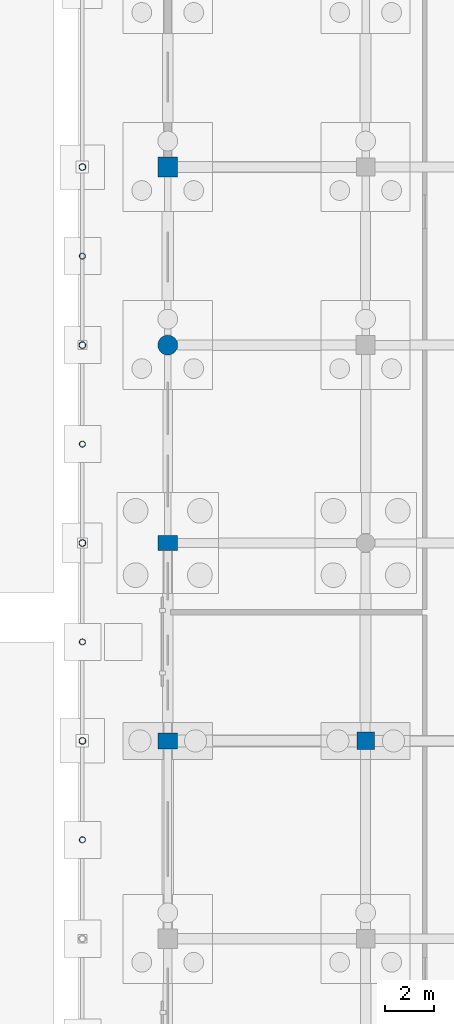
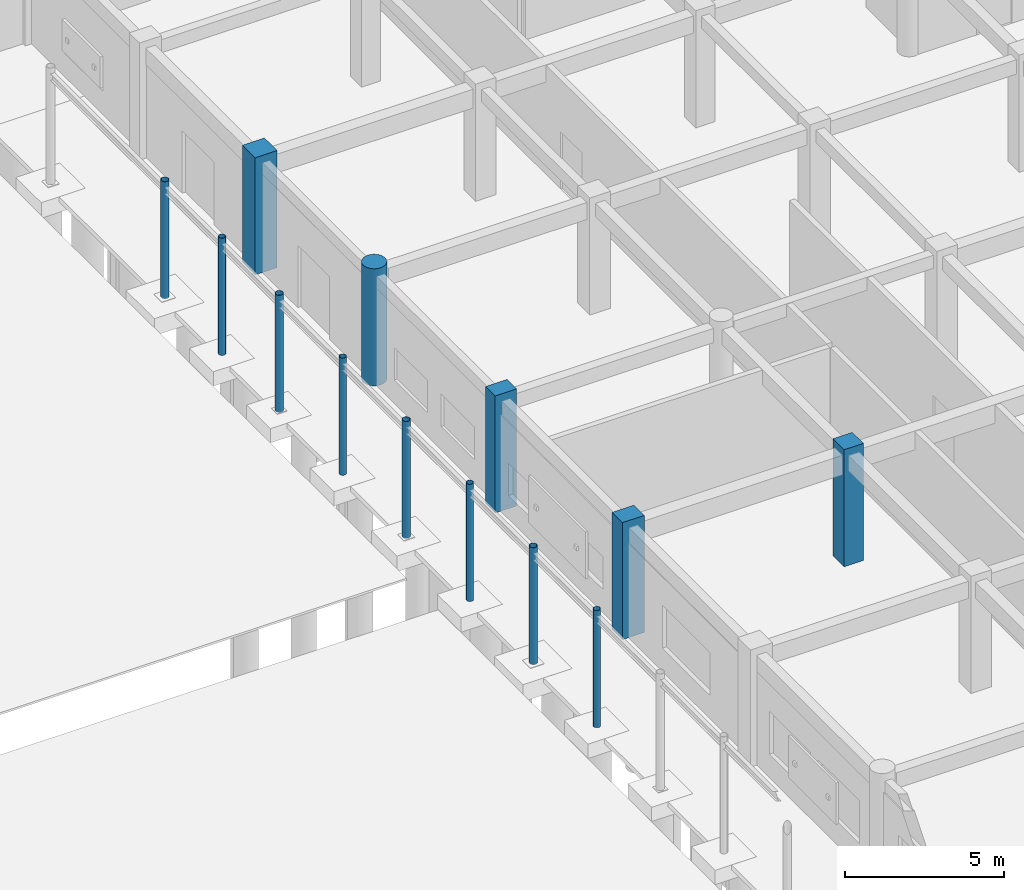
# One storey, part 44 of 166: 13 columns.
"""IFC4 building model written with IfcOpenShell, lengths in metres."""

import ifcopenshell
import ifcopenshell.guid

model = None  # the IFC model being written
_history = None  # IfcOwnerHistory: only IFC2X3 demands one
_inside = {}  # id of a spatial element -> (the spatial element, [elements in it])
_under = {}  # id of a project, library or spatial element -> (it, [spatial elements below it])
_declared = {}  # id of a project -> (the project, [libraries it declares])
_typed = {}  # id of a type object -> (the type object, [elements of that type])
_made_of = {}  # id of a material, layer set ... -> (it, [elements and type objects made of it])


def new_model(schema):
    """Start an empty IFC model of exactly this schema.

    Asked for "IFC4X3", IfcOpenShell would pick the latest addendum, in which some entities
    have other attributes; the version numbers below select the first issue.
    IFC2X3 requires an IfcOwnerHistory on every rooted entity: one is made here for all.
    """
    global model, _history
    if schema == "IFC4X3":
        model = ifcopenshell.file(schema_version=(4, 3, 0, 0))
    else:
        model = ifcopenshell.file(schema=schema)
    _inside.clear()
    _under.clear()
    _declared.clear()
    _typed.clear()
    _made_of.clear()
    _history = None
    if model.schema == "IFC2X3":
        org = make("IfcOrganization", Name="unknown")
        user = make(
            "IfcPersonAndOrganization",
            ThePerson=make("IfcPerson", FamilyName="unknown"),
            TheOrganization=org,
        )
        app = make(
            "IfcApplication",
            ApplicationDeveloper=org,
            Version="unknown",
            ApplicationFullName="unknown",
            ApplicationIdentifier="unknown",
        )
        _history = make(
            "IfcOwnerHistory",
            OwningUser=user,
            OwningApplication=app,
            ChangeAction="ADDED",
            CreationDate=0,
        )
    return model


def make(cls, **values):
    """One entity of the class cls with the attributes given. An attribute that is None is left unset."""
    return model.create_entity(
        cls, **{name: value for name, value in values.items() if value is not None}
    )


def rooted(cls, **values):
    """An entity with a GlobalId (a new one), such as an element, a storey or a relation."""
    return make(cls, GlobalId=ifcopenshell.guid.new(), OwnerHistory=_history, **values)


def si_unit(unit_type, name, prefix=None):
    """IfcSIUnit, for example si_unit("LENGTHUNIT", "METRE", prefix="MILLI")."""
    return make("IfcSIUnit", UnitType=unit_type, Prefix=prefix, Name=name)


def assignment(units):
    """IfcUnitAssignment: the units of a project."""
    return None if units is None else make("IfcUnitAssignment", Units=units)


def point(xyz):
    """IfcCartesianPoint."""
    return None if xyz is None else make("IfcCartesianPoint", Coordinates=xyz)


def direction(xyz):
    """IfcDirection."""
    return None if xyz is None else make("IfcDirection", DirectionRatios=xyz)


def frame(location, z_axis=None, x_axis=None):
    """IfcAxis2Placement3D, a coordinate frame: its origin and axes. An axis left out is left unset."""
    return make(
        "IfcAxis2Placement3D",
        Location=point(location),
        Axis=direction(z_axis),
        RefDirection=direction(x_axis),
    )


def frame_2d(location, x_axis=None):
    """IfcAxis2Placement2D, a coordinate frame in the plane: its origin and x axis."""
    return make(
        "IfcAxis2Placement2D", Location=point(location), RefDirection=direction(x_axis)
    )


def origin():
    """The frame at (0, 0, 0) with its axes left unset."""
    return frame((0.0, 0.0, 0.0))


def origin_2d():
    """The frame at (0, 0) in the plane with its x axis left unset."""
    return frame_2d((0.0, 0.0))


def place(relative_to, where):
    """IfcLocalPlacement: puts the frame where relative to a parent placement (None: the world)."""
    return make(
        "IfcLocalPlacement", PlacementRelTo=relative_to, RelativePlacement=where
    )


def context(
    kind, dimensions, precision=None, world=None, true_north=None, identifier=None
):
    """IfcGeometricRepresentationContext, for example the 3D "Model" context."""
    return make(
        "IfcGeometricRepresentationContext",
        ContextIdentifier=identifier,
        ContextType=kind,
        CoordinateSpaceDimension=dimensions,
        Precision=precision,
        WorldCoordinateSystem=world,
        TrueNorth=true_north,
    )


def subcontext(parent, identifier, kind, view, scale=None):
    """IfcGeometricRepresentationSubContext, for example "Body" below "Model"."""
    return make(
        "IfcGeometricRepresentationSubContext",
        ContextIdentifier=identifier,
        ContextType=kind,
        ParentContext=parent,
        TargetScale=scale,
        TargetView=view,
    )


def project(units=None, contexts=None):
    """IfcProject with its units and contexts."""
    return rooted(
        "IfcProject",
        Name="project",
        RepresentationContexts=contexts,
        UnitsInContext=assignment(units),
    )


def spatial(cls, under=None, at=None, **own):
    """A site, building, storey or space (cls), placed at a placement, below another one or the project."""
    s = rooted(cls, ObjectPlacement=at, **own)
    if under is not None:
        _under.setdefault(under.id(), (under, []))[1].append(s)
    return s


def profile(cls, at=None, kind="AREA", **sizes):
    """A parametric profile (cls). Its sizes go by their IFC names, for example OverallWidth=200.0."""
    return make(cls, ProfileType=kind, Position=at, **sizes)


def rectangle(**sizes):
    """IfcRectangleProfileDef."""
    return profile("IfcRectangleProfileDef", **sizes)


def circle(**sizes):
    """IfcCircleProfileDef."""
    return profile("IfcCircleProfileDef", **sizes)


def hollow_circle(**sizes):
    """IfcCircleHollowProfileDef."""
    return profile("IfcCircleHollowProfileDef", **sizes)


def extrude(swept, where, along, depth):
    """IfcExtrudedAreaSolid: the profile swept, set in the frame where, extruded along a direction by depth."""
    return make(
        "IfcExtrudedAreaSolid",
        SweptArea=swept,
        Position=where,
        ExtrudedDirection=direction(along),
        Depth=depth,
    )


def shape(context_of_items, identifier, shape_type, items):
    """IfcShapeRepresentation: the items that make up one representation, for example the "Body"."""
    return make(
        "IfcShapeRepresentation",
        ContextOfItems=context_of_items,
        RepresentationIdentifier=identifier,
        RepresentationType=shape_type,
        Items=items,
    )


def material(Name=None, Category=None):
    """IfcMaterial."""
    return make("IfcMaterial", Name=Name, Category=Category)


def material_profile(
    of_material, cross_section, Name=None, Category=None, Priority=None
):
    """IfcMaterialProfile: a cross section and its material."""
    return make(
        "IfcMaterialProfile",
        Name=Name,
        Material=of_material,
        Profile=cross_section,
        Priority=Priority,
        Category=Category,
    )


def profile_set(profiles, Name=None, composite=None):
    """IfcMaterialProfileSet."""
    return make(
        "IfcMaterialProfileSet",
        Name=Name,
        MaterialProfiles=profiles,
        CompositeProfile=composite,
    )


def made_of(thing, what):
    """Note that an element or type object is made of a material, layer set ...; save() writes the relation."""
    if what is not None:
        _made_of.setdefault(what.id(), (what, []))[1].append(thing)
    return thing


def type_object(cls, material=None, **own):
    """A type object (cls), such as IfcWallType, which elements share."""
    return made_of(rooted(cls, **own), material)


def element(
    cls,
    number,
    at=None,
    inside=None,
    cuts=None,
    type_object=None,
    material=None,
    context=None,
    identifier="Body",
    shape_type=None,
    held_by="IfcProductDefinitionShape",
    body=None,
    shapes=None,
    **own,
):
    """One element of the class cls, such as IfcWall. Its Tag is "e" and its number.

    at: its placement. inside: the storey or other place that contains it. cuts: it is an
    opening in that element (IfcRelVoidsElement). A single representation is given by context,
    identifier, shape_type and body (its items); several are given by shapes. held_by: the class
    of the entity that holds the representations. save() writes the other relations.
    """
    e = rooted(cls, Tag="e%d" % number, ObjectPlacement=at, **own)
    if body is not None:
        shapes = [shape(context, identifier, shape_type, body)]
    if shapes is not None:
        e.Representation = make(held_by, Representations=shapes)
    if inside is not None:
        _inside.setdefault(inside.id(), (inside, []))[1].append(e)
    if cuts is not None:
        rooted(
            "IfcRelVoidsElement", RelatingBuildingElement=cuts, RelatedOpeningElement=e
        )
    if type_object is not None:
        _typed.setdefault(type_object.id(), (type_object, []))[1].append(e)
    return made_of(e, material)


def aggregate(whole, parts):
    """IfcRelAggregates: a whole, such as a stair, and the parts it consists of."""
    return rooted("IfcRelAggregates", RelatingObject=whole, RelatedObjects=parts)


def save(model, path):
    """Write the relations noted so far, then the file.

    IfcRelAggregates (storeys below a building ...), IfcRelContainedInSpatialStructure (elements
    in a storey), IfcRelDefinesByType, IfcRelAssociatesMaterial and IfcRelDeclares: one each for
    every whole, place, type object, material and project.
    """
    for whole, parts in _under.values():
        aggregate(whole, parts)
    for where, things in _inside.values():
        rooted(
            "IfcRelContainedInSpatialStructure",
            RelatedElements=things,
            RelatingStructure=where,
        )
    for kind, things in _typed.values():
        rooted("IfcRelDefinesByType", RelatedObjects=things, RelatingType=kind)
    for what, things in _made_of.values():
        rooted("IfcRelAssociatesMaterial", RelatedObjects=things, RelatingMaterial=what)
    for by, libraries in _declared.values():
        rooted("IfcRelDeclares", RelatingContext=by, RelatedDefinitions=libraries)
    model.write(path)


model = new_model("IFC4")

# Units and contexts
model_context = context("Model", 3, precision=1e-05, world=origin(), true_north=direction((0.0, 1.0)))
body_context = subcontext(model_context, "Body", "Model", "MODEL_VIEW")
ifc_project = project(units=[si_unit("LENGTHUNIT", "METRE"), si_unit("AREAUNIT", "SQUARE_METRE"), si_unit("VOLUMEUNIT", "CUBIC_METRE"), si_unit("PLANEANGLEUNIT", "RADIAN"), si_unit("MASSUNIT", "GRAM", prefix="KILO")], contexts=[model_context])

# Site, building, storey
site_placement = place(None, origin())
site = spatial("IfcSite", under=ifc_project, at=site_placement, CompositionType="ELEMENT")
building_placement = place(site_placement, origin())
building = spatial("IfcBuilding", under=site, at=building_placement, Name="Kharva Crest Polytechnic", CompositionType="ELEMENT")
storey_placement = place(building_placement, origin())
storey = spatial("IfcBuildingStorey", under=building, at=storey_placement, Name="L00", CompositionType="ELEMENT", Elevation=0.0)

# Columns
ifc_material_1 = material(Name="Concrete C40/50", Category="concrete")
ifc_material_profile_1 = material_profile(ifc_material_1, rectangle(XDim=0.780029296875, YDim=0.60009765625, at=origin_2d()), Name="RECT 780 X 600")
ifc_profile_set_1 = profile_set([ifc_material_profile_1], Name="Concrete C40/50")
column_type_1 = type_object("IfcColumnType", Name="COL-EXT-780X600", PredefinedType="COLUMN", material=ifc_profile_set_1)
column_1_placement = place(storey_placement, frame((152.800048828125, 70.800048828125, 0.0), z_axis=(0.0, 0.0, 1.0), x_axis=(1.0, 0.0, 0.0)))
element("IfcColumn", 1, at=column_1_placement, inside=storey, type_object=column_type_1, Name="L00 Column 20/K", PredefinedType="COLUMN", context=body_context, shape_type="SweptSolid", body=[
    extrude(rectangle(XDim=0.780029296875, YDim=0.60009765625, at=origin_2d()), origin(), (0.0, 0.0, 1.0), 4.5),
])
ifc_material_profile_2 = material_profile(ifc_material_1, rectangle(XDim=0.800048828125, YDim=0.64990234375, at=origin_2d()), Name="RECT 800 X 650")
ifc_profile_set_2 = profile_set([ifc_material_profile_2], Name="Concrete C40/50")
column_type_2 = type_object("IfcColumnType", Name="COL-EXT-800X650", PredefinedType="COLUMN", material=ifc_profile_set_2)
column_2_placement = place(storey_placement, frame((152.800048828125, 62.800048828125, 0.0), z_axis=(0.0, 0.0, 1.0), x_axis=(1.0, 0.0, 0.0)))
element("IfcColumn", 2, at=column_2_placement, inside=storey, type_object=column_type_2, Name="L00 Column 20/J", PredefinedType="COLUMN", context=body_context, shape_type="SweptSolid", body=[
    extrude(rectangle(XDim=0.800048828125, YDim=0.64990234375, at=origin_2d()), origin(), (0.0, 0.0, 1.0), 4.5),
])
ifc_material_profile_3 = material_profile(ifc_material_1, rectangle(XDim=0.800048828125, YDim=0.800048828125, at=origin_2d()), Name="RECT 800 X 800")
ifc_profile_set_3 = profile_set([ifc_material_profile_3], Name="Concrete C40/50")
column_type_3 = type_object("IfcColumnType", Name="COL-EXT-800X800", PredefinedType="COLUMN", material=ifc_profile_set_3)
column_3_placement = place(storey_placement, frame((152.800048828125, 86.0, 0.0), z_axis=(0.0, 0.0, 1.0), x_axis=(1.0, 0.0, 0.0)))
element("IfcColumn", 3, at=column_3_placement, inside=storey, type_object=column_type_3, Name="L00 Column 20/M", PredefinedType="COLUMN", context=body_context, shape_type="SweptSolid", body=[
    extrude(rectangle(XDim=0.800048828125, YDim=0.800048828125, at=origin_2d()), origin(), (0.0, 0.0, 1.0), 4.5),
])
ifc_material_profile_4 = material_profile(ifc_material_1, circle(Radius=0.39990234375, at=origin_2d()), Name="DIA 800")
ifc_profile_set_4 = profile_set([ifc_material_profile_4], Name="Concrete C40/50")
column_type_4 = type_object("IfcColumnType", Name="COL-EXT-DIA800", PredefinedType="COLUMN", material=ifc_profile_set_4)
column_4_placement = place(storey_placement, frame((152.800048828125, 78.800048828125, 0.0), z_axis=(0.0, 0.0, 1.0), x_axis=(1.0, 0.0, 0.0)))
element("IfcColumn", 4, at=column_4_placement, inside=storey, type_object=column_type_4, Name="L00 Column 20/L", PredefinedType="COLUMN", context=body_context, shape_type="SweptSolid", body=[
    extrude(circle(Radius=0.39990234375, at=origin_2d()), origin(), (0.0, 0.0, 1.0), 4.5),
])
ifc_material_profile_5 = material_profile(ifc_material_1, rectangle(XDim=0.699951171875, YDim=0.699951171875, at=origin_2d()), Name="RECT 700 X 700")
ifc_profile_set_5 = profile_set([ifc_material_profile_5], Name="Concrete C40/50")
column_type_5 = type_object("IfcColumnType", Name="COL-INT-700X700", PredefinedType="COLUMN", material=ifc_profile_set_5)
column_5_placement = place(storey_placement, frame((160.800048828125, 62.800048828125, 0.0), z_axis=(0.0, 0.0, 1.0), x_axis=(1.0, 0.0, 0.0)))
element("IfcColumn", 5, at=column_5_placement, inside=storey, type_object=column_type_5, Name="L00 Column 21/J", PredefinedType="COLUMN", context=body_context, shape_type="SweptSolid", body=[
    extrude(rectangle(XDim=0.699951171875, YDim=0.699951171875, at=origin_2d()), origin(), (0.0, 0.0, 1.0), 4.5),
])
ifc_material_2 = material(Name="Steel S355", Category="steel")
ifc_material_profile_6 = material_profile(ifc_material_2, hollow_circle(Radius=0.122314453125, WallThickness=0.010009765625, at=origin_2d()), Name="CHS 244.5X10.0")
ifc_profile_set_6 = profile_set([ifc_material_profile_6], Name="Steel S355")
column_type_6 = type_object("IfcColumnType", Name="COL-STL-CHS244", PredefinedType="COLUMN", material=ifc_profile_set_6)
for number, where, z_axis, x_axis, name in (
    (6, (149.35009765625, 58.800048828125, 0.0), (0.0, 0.0, 1.0), (1.0, 0.0, 0.0), "L00 Colonnade Mid Column VEM02"),
    (7, (149.35009765625, 66.800048828125, 0.0), (0.0, 0.0, 1.0), (1.0, 0.0, 0.0), "L00 Colonnade Mid Column VEM03"),
    (8, (149.35009765625, 74.800048828125, 0.0), (0.0, 0.0, 1.0), (1.0, 0.0, 0.0), "L00 Colonnade Mid Column VEM04"),
    (9, (149.35009765625, 82.39990234375, 0.0), (0.0, 0.0, 1.0), (1.0, 0.0, 0.0), "L00 Colonnade Mid Column VEM05"),
):
    element("IfcColumn", number, at=place(storey_placement, frame(where, z_axis=z_axis, x_axis=x_axis)), inside=storey, type_object=column_type_6, Name=name, PredefinedType="COLUMN", context=body_context, shape_type="SweptSolid", body=[
        extrude(hollow_circle(Radius=0.122314453125, WallThickness=0.010009765625, at=origin_2d()), origin(), (0.0, 0.0, 1.0), 4.5),
    ])
ifc_material_profile_7 = material_profile(ifc_material_2, hollow_circle(Radius=0.136474609375, WallThickness=0.012451171875, at=origin_2d()), Name="CHS 273.0X12.5")
ifc_profile_set_7 = profile_set([ifc_material_profile_7], Name="Steel S355")
column_type_7 = type_object("IfcColumnType", Name="COL-STL-CHS273", PredefinedType="COLUMN", material=ifc_profile_set_7)
for number, where, z_axis, x_axis, name in (
    (10, (149.35009765625, 62.800048828125, 0.0), (0.0, 0.0, 1.0), (1.0, 0.0, 0.0), "L00 Colonnade Column VE03"),
    (11, (149.35009765625, 70.800048828125, 0.0), (0.0, 0.0, 1.0), (1.0, 0.0, 0.0), "L00 Colonnade Column VE04"),
    (12, (149.35009765625, 78.800048828125, 0.0), (0.0, 0.0, 1.0), (1.0, 0.0, 0.0), "L00 Colonnade Column VE05"),
    (13, (149.35009765625, 86.0, 0.0), (0.0, 0.0, 1.0), (1.0, 0.0, 0.0), "L00 Colonnade Column VE06"),
):
    element("IfcColumn", number, at=place(storey_placement, frame(where, z_axis=z_axis, x_axis=x_axis)), inside=storey, type_object=column_type_7, Name=name, PredefinedType="COLUMN", context=body_context, shape_type="SweptSolid", body=[
        extrude(hollow_circle(Radius=0.136474609375, WallThickness=0.012451171875, at=origin_2d()), origin(), (0.0, 0.0, 1.0), 4.5),
    ])

save(model, "model.ifc")
